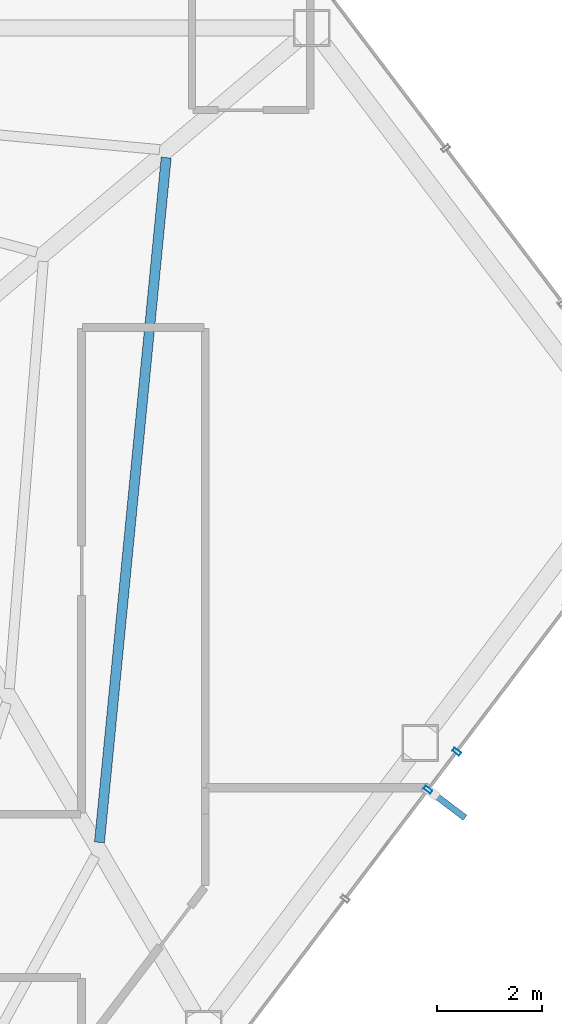
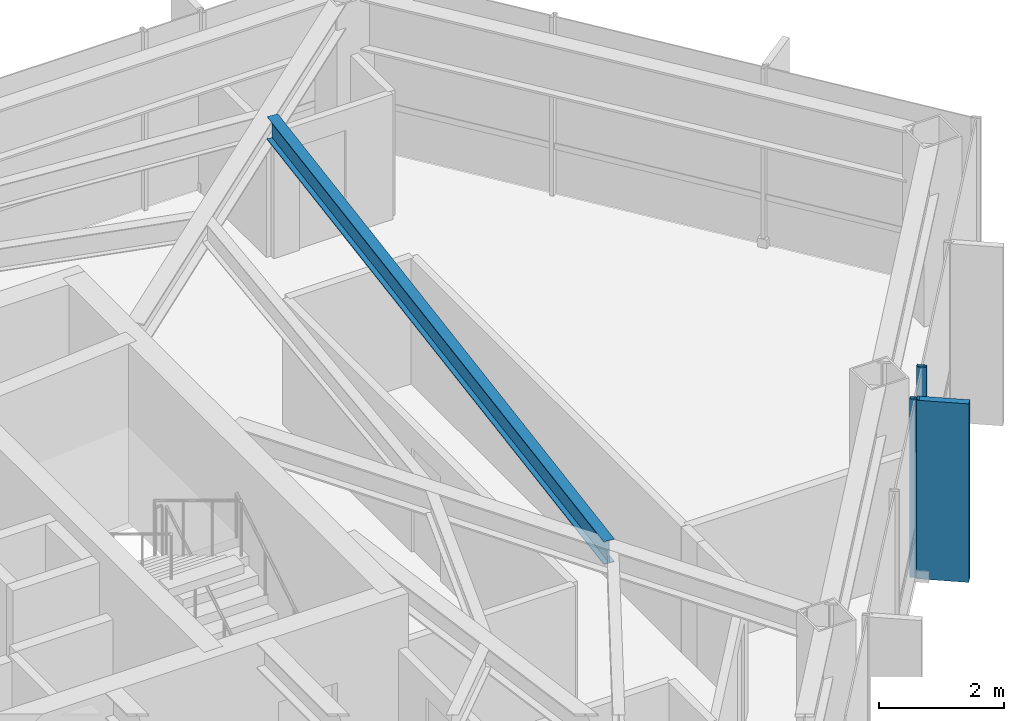
# One storey, part 20 of 28: 3 members, 1 beam, 1 element without a shape of its own.
"""IFC4 building model written with IfcOpenShell, lengths in metres."""

import ifcopenshell
import ifcopenshell.guid

model = None  # the IFC model being written
_history = None  # IfcOwnerHistory: only IFC2X3 demands one
_inside = {}  # id of a spatial element -> (the spatial element, [elements in it])
_under = {}  # id of a project, library or spatial element -> (it, [spatial elements below it])
_declared = {}  # id of a project -> (the project, [libraries it declares])
_typed = {}  # id of a type object -> (the type object, [elements of that type])
_made_of = {}  # id of a material, layer set ... -> (it, [elements and type objects made of it])


def new_model(schema):
    """Start an empty IFC model of exactly this schema.

    Asked for "IFC4X3", IfcOpenShell would pick the latest addendum, in which some entities
    have other attributes; the version numbers below select the first issue.
    IFC2X3 requires an IfcOwnerHistory on every rooted entity: one is made here for all.
    """
    global model, _history
    if schema == "IFC4X3":
        model = ifcopenshell.file(schema_version=(4, 3, 0, 0))
    else:
        model = ifcopenshell.file(schema=schema)
    _inside.clear()
    _under.clear()
    _declared.clear()
    _typed.clear()
    _made_of.clear()
    _history = None
    if model.schema == "IFC2X3":
        org = make("IfcOrganization", Name="unknown")
        user = make(
            "IfcPersonAndOrganization",
            ThePerson=make("IfcPerson", FamilyName="unknown"),
            TheOrganization=org,
        )
        app = make(
            "IfcApplication",
            ApplicationDeveloper=org,
            Version="unknown",
            ApplicationFullName="unknown",
            ApplicationIdentifier="unknown",
        )
        _history = make(
            "IfcOwnerHistory",
            OwningUser=user,
            OwningApplication=app,
            ChangeAction="ADDED",
            CreationDate=0,
        )
    return model


def make(cls, **values):
    """One entity of the class cls with the attributes given. An attribute that is None is left unset."""
    return model.create_entity(
        cls, **{name: value for name, value in values.items() if value is not None}
    )


def rooted(cls, **values):
    """An entity with a GlobalId (a new one), such as an element, a storey or a relation."""
    return make(cls, GlobalId=ifcopenshell.guid.new(), OwnerHistory=_history, **values)


def si_unit(unit_type, name, prefix=None):
    """IfcSIUnit, for example si_unit("LENGTHUNIT", "METRE", prefix="MILLI")."""
    return make("IfcSIUnit", UnitType=unit_type, Prefix=prefix, Name=name)


def assignment(units):
    """IfcUnitAssignment: the units of a project."""
    return None if units is None else make("IfcUnitAssignment", Units=units)


def point(xyz):
    """IfcCartesianPoint."""
    return None if xyz is None else make("IfcCartesianPoint", Coordinates=xyz)


def direction(xyz):
    """IfcDirection."""
    return None if xyz is None else make("IfcDirection", DirectionRatios=xyz)


def frame(location, z_axis=None, x_axis=None):
    """IfcAxis2Placement3D, a coordinate frame: its origin and axes. An axis left out is left unset."""
    return make(
        "IfcAxis2Placement3D",
        Location=point(location),
        Axis=direction(z_axis),
        RefDirection=direction(x_axis),
    )


def frame_2d(location, x_axis=None):
    """IfcAxis2Placement2D, a coordinate frame in the plane: its origin and x axis."""
    return make(
        "IfcAxis2Placement2D", Location=point(location), RefDirection=direction(x_axis)
    )


def origin():
    """The frame at (0, 0, 0) with its axes left unset."""
    return frame((0.0, 0.0, 0.0))


def origin_2d():
    """The frame at (0, 0) in the plane with its x axis left unset."""
    return frame_2d((0.0, 0.0))


def place(relative_to, where):
    """IfcLocalPlacement: puts the frame where relative to a parent placement (None: the world)."""
    return make(
        "IfcLocalPlacement", PlacementRelTo=relative_to, RelativePlacement=where
    )


def context(
    kind, dimensions, precision=None, world=None, true_north=None, identifier=None
):
    """IfcGeometricRepresentationContext, for example the 3D "Model" context."""
    return make(
        "IfcGeometricRepresentationContext",
        ContextIdentifier=identifier,
        ContextType=kind,
        CoordinateSpaceDimension=dimensions,
        Precision=precision,
        WorldCoordinateSystem=world,
        TrueNorth=true_north,
    )


def subcontext(parent, identifier, kind, view, scale=None):
    """IfcGeometricRepresentationSubContext, for example "Body" below "Model"."""
    return make(
        "IfcGeometricRepresentationSubContext",
        ContextIdentifier=identifier,
        ContextType=kind,
        ParentContext=parent,
        TargetScale=scale,
        TargetView=view,
    )


def project(units=None, contexts=None):
    """IfcProject with its units and contexts."""
    return rooted(
        "IfcProject",
        Name="project",
        RepresentationContexts=contexts,
        UnitsInContext=assignment(units),
    )


def spatial(cls, under=None, at=None, **own):
    """A site, building, storey or space (cls), placed at a placement, below another one or the project."""
    s = rooted(cls, ObjectPlacement=at, **own)
    if under is not None:
        _under.setdefault(under.id(), (under, []))[1].append(s)
    return s


def profile(cls, at=None, kind="AREA", **sizes):
    """A parametric profile (cls). Its sizes go by their IFC names, for example OverallWidth=200.0."""
    return make(cls, ProfileType=kind, Position=at, **sizes)


def rectangle(**sizes):
    """IfcRectangleProfileDef."""
    return profile("IfcRectangleProfileDef", **sizes)


def hollow_rectangle(**sizes):
    """IfcRectangleHollowProfileDef."""
    return profile("IfcRectangleHollowProfileDef", **sizes)


def i_section(**sizes):
    """IfcIShapeProfileDef."""
    return profile("IfcIShapeProfileDef", **sizes)


def extrude(swept, where, along, depth):
    """IfcExtrudedAreaSolid: the profile swept, set in the frame where, extruded along a direction by depth."""
    return make(
        "IfcExtrudedAreaSolid",
        SweptArea=swept,
        Position=where,
        ExtrudedDirection=direction(along),
        Depth=depth,
    )


def shape(context_of_items, identifier, shape_type, items):
    """IfcShapeRepresentation: the items that make up one representation, for example the "Body"."""
    return make(
        "IfcShapeRepresentation",
        ContextOfItems=context_of_items,
        RepresentationIdentifier=identifier,
        RepresentationType=shape_type,
        Items=items,
    )


def material(Name=None, Category=None):
    """IfcMaterial."""
    return make("IfcMaterial", Name=Name, Category=Category)


def layer(
    of_material, thickness, ventilated=None, Name=None, Category=None, Priority=None
):
    """IfcMaterialLayer: one layer of a wall or slab, of a material (None: an air gap)."""
    return make(
        "IfcMaterialLayer",
        Material=of_material,
        LayerThickness=thickness,
        IsVentilated=ventilated,
        Name=Name,
        Category=Category,
        Priority=Priority,
    )


def layer_set(layers, Name=None):
    """IfcMaterialLayerSet."""
    return make("IfcMaterialLayerSet", MaterialLayers=layers, LayerSetName=Name)


def material_profile(
    of_material, cross_section, Name=None, Category=None, Priority=None
):
    """IfcMaterialProfile: a cross section and its material."""
    return make(
        "IfcMaterialProfile",
        Name=Name,
        Material=of_material,
        Profile=cross_section,
        Priority=Priority,
        Category=Category,
    )


def profile_set(profiles, Name=None, composite=None):
    """IfcMaterialProfileSet."""
    return make(
        "IfcMaterialProfileSet",
        Name=Name,
        MaterialProfiles=profiles,
        CompositeProfile=composite,
    )


def made_of(thing, what):
    """Note that an element or type object is made of a material, layer set ...; save() writes the relation."""
    if what is not None:
        _made_of.setdefault(what.id(), (what, []))[1].append(thing)
    return thing


def type_object(cls, material=None, **own):
    """A type object (cls), such as IfcWallType, which elements share."""
    return made_of(rooted(cls, **own), material)


def element(
    cls,
    number,
    at=None,
    inside=None,
    cuts=None,
    type_object=None,
    material=None,
    context=None,
    identifier="Body",
    shape_type=None,
    held_by="IfcProductDefinitionShape",
    body=None,
    shapes=None,
    **own,
):
    """One element of the class cls, such as IfcWall. Its Tag is "e" and its number.

    at: its placement. inside: the storey or other place that contains it. cuts: it is an
    opening in that element (IfcRelVoidsElement). A single representation is given by context,
    identifier, shape_type and body (its items); several are given by shapes. held_by: the class
    of the entity that holds the representations. save() writes the other relations.
    """
    e = rooted(cls, Tag="e%d" % number, ObjectPlacement=at, **own)
    if body is not None:
        shapes = [shape(context, identifier, shape_type, body)]
    if shapes is not None:
        e.Representation = make(held_by, Representations=shapes)
    if inside is not None:
        _inside.setdefault(inside.id(), (inside, []))[1].append(e)
    if cuts is not None:
        rooted(
            "IfcRelVoidsElement", RelatingBuildingElement=cuts, RelatedOpeningElement=e
        )
    if type_object is not None:
        _typed.setdefault(type_object.id(), (type_object, []))[1].append(e)
    return made_of(e, material)


def aggregate(whole, parts):
    """IfcRelAggregates: a whole, such as a stair, and the parts it consists of."""
    return rooted("IfcRelAggregates", RelatingObject=whole, RelatedObjects=parts)


def save(model, path):
    """Write the relations noted so far, then the file.

    IfcRelAggregates (storeys below a building ...), IfcRelContainedInSpatialStructure (elements
    in a storey), IfcRelDefinesByType, IfcRelAssociatesMaterial and IfcRelDeclares: one each for
    every whole, place, type object, material and project.
    """
    for whole, parts in _under.values():
        aggregate(whole, parts)
    for where, things in _inside.values():
        rooted(
            "IfcRelContainedInSpatialStructure",
            RelatedElements=things,
            RelatingStructure=where,
        )
    for kind, things in _typed.values():
        rooted("IfcRelDefinesByType", RelatedObjects=things, RelatingType=kind)
    for what, things in _made_of.values():
        rooted("IfcRelAssociatesMaterial", RelatedObjects=things, RelatingMaterial=what)
    for by, libraries in _declared.values():
        rooted("IfcRelDeclares", RelatingContext=by, RelatedDefinitions=libraries)
    model.write(path)


model = new_model("IFC4")

# Units and contexts
model_context = context("Model", 3, precision=1e-05, world=origin(), true_north=direction((0.0, 1.0)))
body_context = subcontext(model_context, "Body", "Model", "MODEL_VIEW")
ifc_project = project(units=[si_unit("LENGTHUNIT", "METRE"), si_unit("AREAUNIT", "SQUARE_METRE"), si_unit("VOLUMEUNIT", "CUBIC_METRE"), si_unit("PLANEANGLEUNIT", "RADIAN"), si_unit("MASSUNIT", "GRAM", prefix="KILO")], contexts=[model_context])

# Site, building, storey
site_placement = place(None, origin())
site = spatial("IfcSite", under=ifc_project, at=site_placement, CompositionType="ELEMENT")
building_placement = place(site_placement, origin())
building = spatial("IfcBuilding", under=site, at=building_placement, Name="Zarrinselat Tower", CompositionType="ELEMENT")
storey_placement = place(building_placement, frame((0.0, 0.0, 164.56005859375)))
storey = spatial("IfcBuildingStorey", under=building, at=storey_placement, Name="L40", CompositionType="ELEMENT", Elevation=164.56005859375)

# Beam
ifc_material_1 = material(Name="Steel S355J2", Category="steel")
ifc_material_profile_1 = material_profile(ifc_material_1, i_section(OverallWidth=0.18994140625, OverallDepth=0.449951171875, WebThickness=0.009521484375, FlangeThickness=0.0146484375, at=origin_2d()), Name="IPE 450")
ifc_profile_set_1 = profile_set([ifc_material_profile_1], Name="Steel S355J2")
beam_type = type_object("IfcBeamType", Name="BM-IPE450", PredefinedType="JOIST", material=ifc_profile_set_1)
beam_placement = place(storey_placement, frame((51.98974609375, 32.715087890625, 3.27490234375), z_axis=(0.096972284991, 0.995287082175, 0.0), x_axis=(-0.995287082175, 0.096972284991, 0.0)))
element("IfcBeam", 1, at=beam_placement, inside=storey, type_object=beam_type, Name="L40 Composite Floor Joist 5-1", PredefinedType="JOIST", context=body_context, shape_type="SweptSolid", body=[
    extrude(i_section(OverallWidth=0.18994140625, OverallDepth=0.449951171875, WebThickness=0.009521484375, FlangeThickness=0.0146484375, at=origin_2d()), origin(), (0.0, 0.0, 1.0), 13.073974609375),
])

# Curtain wall, members
ifc_material_2 = material(Name="Extruded Aluminium Alloy EN AW-6063 T6", Category="aluminium")
ifc_layer = layer(ifc_material_2, 0.175048828125)
ifc_layer_set = layer_set([ifc_layer], Name="Extruded Aluminium Alloy EN AW-6063 T6")
curtain_wall_type = type_object("IfcCurtainWallType", Name="CWS-HTL", PredefinedType="NOTDEFINED", material=ifc_layer_set)
curtain_wall_placement = place(storey_placement, origin())
curtain_wall = element("IfcCurtainWall", 2, at=curtain_wall_placement, inside=storey, type_object=curtain_wall_type, Name="L40 Unitised Curtain Wall CW-L40-E05", PredefinedType="NOTDEFINED")
ifc_material_3 = material(Name="Extruded Aluminium Alloy EN AW-6063 T6", Category="aluminium")
ifc_material_profile_2 = material_profile(ifc_material_3, hollow_rectangle(XDim=0.070068359375, YDim=0.159912109375, WallThickness=0.00390625, at=origin_2d()), Name="RHS 160x70x4")
ifc_profile_set_2 = profile_set([ifc_material_profile_2], Name="Extruded Aluminium Alloy EN AW-6063 T6")
member_type_1 = type_object("IfcMemberType", Name="MEM-CW-MUL2", PredefinedType="MULLION", material=ifc_profile_set_2)
member_1_placement = place(storey_placement, frame((58.2314453125, 33.71630859375, 0.0), z_axis=(0.0, 0.0, 1.0), x_axis=(0.603858853713, 0.797091265033, 0.0)))
member_1 = element("IfcMember", 3, at=member_1_placement, type_object=member_type_1, Name="CW-L40-E05 Mullion 7", PredefinedType="MULLION", context=body_context, shape_type="SweptSolid", body=[
    extrude(hollow_rectangle(XDim=0.070068359375, YDim=0.159912109375, WallThickness=0.00390625, at=origin_2d()), origin(), (0.0, 0.0, 1.0), 3.5),
])
member_2_placement = place(storey_placement, frame((58.778564453125, 34.438720703125, 0.0), z_axis=(0.0, 0.0, 1.0), x_axis=(0.603858853713, 0.797091265033, 0.0)))
member_2 = element("IfcMember", 4, at=member_2_placement, type_object=member_type_1, Name="CW-L40-E05 Mullion 8", PredefinedType="MULLION", context=body_context, shape_type="SweptSolid", body=[
    extrude(hollow_rectangle(XDim=0.070068359375, YDim=0.159912109375, WallThickness=0.00390625, at=origin_2d()), origin(), (0.0, 0.0, 1.0), 3.5),
])
ifc_material_4 = material(Name="Honed Cream Travertine Stone", Category="masonry")
ifc_material_profile_3 = material_profile(ifc_material_4, rectangle(XDim=0.1201171875, YDim=0.85009765625, at=origin_2d()), Name="FIN 850x120")
ifc_profile_set_3 = profile_set([ifc_material_profile_3], Name="Honed Cream Travertine Stone")
member_type_2 = type_object("IfcMemberType", Name="MEM-STONE-FIN", PredefinedType="USERDEFINED", material=ifc_profile_set_3)
member_3_placement = place(storey_placement, frame((58.59814453125, 33.438720703125, 0.0), z_axis=(0.0, 0.0, 1.0), x_axis=(-0.603858853713, -0.797091265033, 0.0)))
member_3 = element("IfcMember", 5, at=member_3_placement, type_object=member_type_2, Name="L40 Stone Shading Fin CW-L40-E05-07", ObjectType="FIN", PredefinedType="USERDEFINED", context=body_context, shape_type="SweptSolid", body=[
    extrude(rectangle(XDim=0.1201171875, YDim=0.85009765625, at=origin_2d()), origin(), (0.0, 0.0, 1.0), 3.5),
])
aggregate(curtain_wall, [member_1, member_3, member_2])

save(model, "model.ifc")
